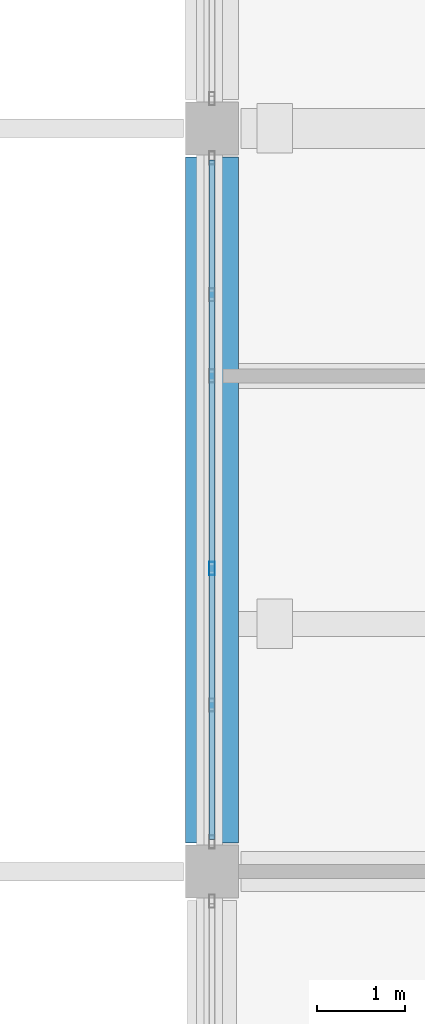
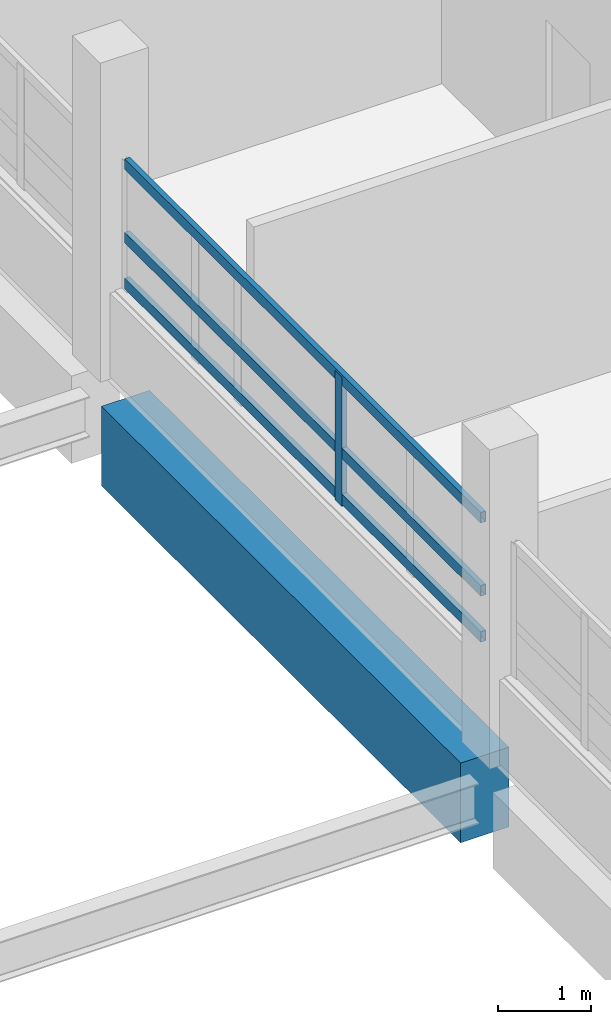
# One storey, part 39 of 130: 4 members, 1 beam, 1 element without a shape of its own.
"""IFC4 building model written with IfcOpenShell, lengths in metres."""

import ifcopenshell
import ifcopenshell.guid

model = None  # the IFC model being written
_history = None  # IfcOwnerHistory: only IFC2X3 demands one
_inside = {}  # id of a spatial element -> (the spatial element, [elements in it])
_under = {}  # id of a project, library or spatial element -> (it, [spatial elements below it])
_declared = {}  # id of a project -> (the project, [libraries it declares])
_typed = {}  # id of a type object -> (the type object, [elements of that type])
_made_of = {}  # id of a material, layer set ... -> (it, [elements and type objects made of it])


def new_model(schema):
    """Start an empty IFC model of exactly this schema.

    Asked for "IFC4X3", IfcOpenShell would pick the latest addendum, in which some entities
    have other attributes; the version numbers below select the first issue.
    IFC2X3 requires an IfcOwnerHistory on every rooted entity: one is made here for all.
    """
    global model, _history
    if schema == "IFC4X3":
        model = ifcopenshell.file(schema_version=(4, 3, 0, 0))
    else:
        model = ifcopenshell.file(schema=schema)
    _inside.clear()
    _under.clear()
    _declared.clear()
    _typed.clear()
    _made_of.clear()
    _history = None
    if model.schema == "IFC2X3":
        org = make("IfcOrganization", Name="unknown")
        user = make(
            "IfcPersonAndOrganization",
            ThePerson=make("IfcPerson", FamilyName="unknown"),
            TheOrganization=org,
        )
        app = make(
            "IfcApplication",
            ApplicationDeveloper=org,
            Version="unknown",
            ApplicationFullName="unknown",
            ApplicationIdentifier="unknown",
        )
        _history = make(
            "IfcOwnerHistory",
            OwningUser=user,
            OwningApplication=app,
            ChangeAction="ADDED",
            CreationDate=0,
        )
    return model


def make(cls, **values):
    """One entity of the class cls with the attributes given. An attribute that is None is left unset."""
    return model.create_entity(
        cls, **{name: value for name, value in values.items() if value is not None}
    )


def rooted(cls, **values):
    """An entity with a GlobalId (a new one), such as an element, a storey or a relation."""
    return make(cls, GlobalId=ifcopenshell.guid.new(), OwnerHistory=_history, **values)


def si_unit(unit_type, name, prefix=None):
    """IfcSIUnit, for example si_unit("LENGTHUNIT", "METRE", prefix="MILLI")."""
    return make("IfcSIUnit", UnitType=unit_type, Prefix=prefix, Name=name)


def assignment(units):
    """IfcUnitAssignment: the units of a project."""
    return None if units is None else make("IfcUnitAssignment", Units=units)


def point(xyz):
    """IfcCartesianPoint."""
    return None if xyz is None else make("IfcCartesianPoint", Coordinates=xyz)


def direction(xyz):
    """IfcDirection."""
    return None if xyz is None else make("IfcDirection", DirectionRatios=xyz)


def frame(location, z_axis=None, x_axis=None):
    """IfcAxis2Placement3D, a coordinate frame: its origin and axes. An axis left out is left unset."""
    return make(
        "IfcAxis2Placement3D",
        Location=point(location),
        Axis=direction(z_axis),
        RefDirection=direction(x_axis),
    )


def frame_2d(location, x_axis=None):
    """IfcAxis2Placement2D, a coordinate frame in the plane: its origin and x axis."""
    return make(
        "IfcAxis2Placement2D", Location=point(location), RefDirection=direction(x_axis)
    )


def origin():
    """The frame at (0, 0, 0) with its axes left unset."""
    return frame((0.0, 0.0, 0.0))


def origin_2d():
    """The frame at (0, 0) in the plane with its x axis left unset."""
    return frame_2d((0.0, 0.0))


def place(relative_to, where):
    """IfcLocalPlacement: puts the frame where relative to a parent placement (None: the world)."""
    return make(
        "IfcLocalPlacement", PlacementRelTo=relative_to, RelativePlacement=where
    )


def context(
    kind, dimensions, precision=None, world=None, true_north=None, identifier=None
):
    """IfcGeometricRepresentationContext, for example the 3D "Model" context."""
    return make(
        "IfcGeometricRepresentationContext",
        ContextIdentifier=identifier,
        ContextType=kind,
        CoordinateSpaceDimension=dimensions,
        Precision=precision,
        WorldCoordinateSystem=world,
        TrueNorth=true_north,
    )


def subcontext(parent, identifier, kind, view, scale=None):
    """IfcGeometricRepresentationSubContext, for example "Body" below "Model"."""
    return make(
        "IfcGeometricRepresentationSubContext",
        ContextIdentifier=identifier,
        ContextType=kind,
        ParentContext=parent,
        TargetScale=scale,
        TargetView=view,
    )


def project(units=None, contexts=None):
    """IfcProject with its units and contexts."""
    return rooted(
        "IfcProject",
        Name="project",
        RepresentationContexts=contexts,
        UnitsInContext=assignment(units),
    )


def spatial(cls, under=None, at=None, **own):
    """A site, building, storey or space (cls), placed at a placement, below another one or the project."""
    s = rooted(cls, ObjectPlacement=at, **own)
    if under is not None:
        _under.setdefault(under.id(), (under, []))[1].append(s)
    return s


def profile(cls, at=None, kind="AREA", **sizes):
    """A parametric profile (cls). Its sizes go by their IFC names, for example OverallWidth=200.0."""
    return make(cls, ProfileType=kind, Position=at, **sizes)


def rectangle(**sizes):
    """IfcRectangleProfileDef."""
    return profile("IfcRectangleProfileDef", **sizes)


def hollow_rectangle(**sizes):
    """IfcRectangleHollowProfileDef."""
    return profile("IfcRectangleHollowProfileDef", **sizes)


def extrude(swept, where, along, depth):
    """IfcExtrudedAreaSolid: the profile swept, set in the frame where, extruded along a direction by depth."""
    return make(
        "IfcExtrudedAreaSolid",
        SweptArea=swept,
        Position=where,
        ExtrudedDirection=direction(along),
        Depth=depth,
    )


def shape(context_of_items, identifier, shape_type, items):
    """IfcShapeRepresentation: the items that make up one representation, for example the "Body"."""
    return make(
        "IfcShapeRepresentation",
        ContextOfItems=context_of_items,
        RepresentationIdentifier=identifier,
        RepresentationType=shape_type,
        Items=items,
    )


def material(Name=None, Category=None):
    """IfcMaterial."""
    return make("IfcMaterial", Name=Name, Category=Category)


def layer(
    of_material, thickness, ventilated=None, Name=None, Category=None, Priority=None
):
    """IfcMaterialLayer: one layer of a wall or slab, of a material (None: an air gap)."""
    return make(
        "IfcMaterialLayer",
        Material=of_material,
        LayerThickness=thickness,
        IsVentilated=ventilated,
        Name=Name,
        Category=Category,
        Priority=Priority,
    )


def layer_set(layers, Name=None):
    """IfcMaterialLayerSet."""
    return make("IfcMaterialLayerSet", MaterialLayers=layers, LayerSetName=Name)


def material_profile(
    of_material, cross_section, Name=None, Category=None, Priority=None
):
    """IfcMaterialProfile: a cross section and its material."""
    return make(
        "IfcMaterialProfile",
        Name=Name,
        Material=of_material,
        Profile=cross_section,
        Priority=Priority,
        Category=Category,
    )


def profile_set(profiles, Name=None, composite=None):
    """IfcMaterialProfileSet."""
    return make(
        "IfcMaterialProfileSet",
        Name=Name,
        MaterialProfiles=profiles,
        CompositeProfile=composite,
    )


def made_of(thing, what):
    """Note that an element or type object is made of a material, layer set ...; save() writes the relation."""
    if what is not None:
        _made_of.setdefault(what.id(), (what, []))[1].append(thing)
    return thing


def type_object(cls, material=None, **own):
    """A type object (cls), such as IfcWallType, which elements share."""
    return made_of(rooted(cls, **own), material)


def element(
    cls,
    number,
    at=None,
    inside=None,
    cuts=None,
    type_object=None,
    material=None,
    context=None,
    identifier="Body",
    shape_type=None,
    held_by="IfcProductDefinitionShape",
    body=None,
    shapes=None,
    **own,
):
    """One element of the class cls, such as IfcWall. Its Tag is "e" and its number.

    at: its placement. inside: the storey or other place that contains it. cuts: it is an
    opening in that element (IfcRelVoidsElement). A single representation is given by context,
    identifier, shape_type and body (its items); several are given by shapes. held_by: the class
    of the entity that holds the representations. save() writes the other relations.
    """
    e = rooted(cls, Tag="e%d" % number, ObjectPlacement=at, **own)
    if body is not None:
        shapes = [shape(context, identifier, shape_type, body)]
    if shapes is not None:
        e.Representation = make(held_by, Representations=shapes)
    if inside is not None:
        _inside.setdefault(inside.id(), (inside, []))[1].append(e)
    if cuts is not None:
        rooted(
            "IfcRelVoidsElement", RelatingBuildingElement=cuts, RelatedOpeningElement=e
        )
    if type_object is not None:
        _typed.setdefault(type_object.id(), (type_object, []))[1].append(e)
    return made_of(e, material)


def aggregate(whole, parts):
    """IfcRelAggregates: a whole, such as a stair, and the parts it consists of."""
    return rooted("IfcRelAggregates", RelatingObject=whole, RelatedObjects=parts)


def save(model, path):
    """Write the relations noted so far, then the file.

    IfcRelAggregates (storeys below a building ...), IfcRelContainedInSpatialStructure (elements
    in a storey), IfcRelDefinesByType, IfcRelAssociatesMaterial and IfcRelDeclares: one each for
    every whole, place, type object, material and project.
    """
    for whole, parts in _under.values():
        aggregate(whole, parts)
    for where, things in _inside.values():
        rooted(
            "IfcRelContainedInSpatialStructure",
            RelatedElements=things,
            RelatingStructure=where,
        )
    for kind, things in _typed.values():
        rooted("IfcRelDefinesByType", RelatedObjects=things, RelatingType=kind)
    for what, things in _made_of.values():
        rooted("IfcRelAssociatesMaterial", RelatedObjects=things, RelatingMaterial=what)
    for by, libraries in _declared.values():
        rooted("IfcRelDeclares", RelatingContext=by, RelatedDefinitions=libraries)
    model.write(path)


model = new_model("IFC4")

# Units and contexts
model_context = context("Model", 3, precision=1e-05, world=origin(), true_north=direction((0.0, 1.0)))
body_context = subcontext(model_context, "Body", "Model", "MODEL_VIEW")
ifc_project = project(units=[si_unit("LENGTHUNIT", "METRE"), si_unit("AREAUNIT", "SQUARE_METRE"), si_unit("VOLUMEUNIT", "CUBIC_METRE"), si_unit("PLANEANGLEUNIT", "RADIAN"), si_unit("MASSUNIT", "GRAM", prefix="KILO")], contexts=[model_context])

# Site, building, storey
site_placement = place(None, origin())
site = spatial("IfcSite", under=ifc_project, at=site_placement, CompositionType="ELEMENT")
building_placement = place(site_placement, origin())
building = spatial("IfcBuilding", under=site, at=building_placement, Name="Vireocrest Preparatory School", CompositionType="ELEMENT")
storey_placement = place(building_placement, frame((0.0, 0.0, 9.0)))
storey = spatial("IfcBuildingStorey", under=building, at=storey_placement, Name="L02", CompositionType="ELEMENT", Elevation=9.0)

# Curtain wall, members
ifc_material_1 = material(Name="Thermally broken aluminium EN AW-6063-T6", Category="aluminium")
ifc_layer = layer(ifc_material_1, 0.179931640625)
ifc_layer_set = layer_set([ifc_layer], Name="Thermally broken aluminium EN AW-6063-T6")
curtain_wall_type = type_object("IfcCurtainWallType", Name="Court Banded Curtain Wall 8400x3000", PredefinedType="USERDEFINED", material=ifc_layer_set)
curtain_wall_placement = place(storey_placement, origin())
curtain_wall = element("IfcCurtainWall", 1, at=curtain_wall_placement, inside=storey, type_object=curtain_wall_type, Name="Curtain Wall CW02 CW_L02_CW02_0924_0525_102", ObjectType="CURTAIN WALL", PredefinedType="USERDEFINED")
ifc_material_profile_1 = material_profile(ifc_material_1, hollow_rectangle(XDim=0.06494140625, YDim=0.14990234375, WallThickness=0.00390625, at=origin_2d()), Name="ALU 65x150x4")
ifc_profile_set_1 = profile_set([ifc_material_profile_1], Name="Thermally broken aluminium EN AW-6063-T6")
member_type_1 = type_object("IfcMemberType", Name="CW Mullion 65x150x4", PredefinedType="MULLION", material=ifc_profile_set_1)
member_1_placement = place(storey_placement, frame((92.39990234375, 55.626953125, 1.14990234375), z_axis=(0.0, 0.0, 1.0), x_axis=(1.0, 0.0, 0.0)))
member_1 = element("IfcMember", 2, at=member_1_placement, type_object=member_type_1, Name="CW Mullion ML1 CW_L02_CW02_0924_0525_102-3", PredefinedType="MULLION", context=body_context, shape_type="SweptSolid", body=[
    extrude(hollow_rectangle(XDim=0.06494140625, YDim=0.14990234375, WallThickness=0.00390625, at=origin_2d()), origin(), (0.0, 0.0, 1.0), 1.705078125),
])
ifc_material_profile_2 = material_profile(ifc_material_1, hollow_rectangle(XDim=0.06494140625, YDim=0.139892578125, WallThickness=0.00390625, at=origin_2d()), Name="ALU 65x140x4")
ifc_profile_set_2 = profile_set([ifc_material_profile_2], Name="Thermally broken aluminium EN AW-6063-T6")
member_type_2 = type_object("IfcMemberType", Name="CW Transom 65x140x4", PredefinedType="USERDEFINED", material=ifc_profile_set_2)
member_2_placement = place(storey_placement, frame((92.39990234375, 52.56005859375, 1.2451171875), z_axis=(0.0, 1.0, 0.0), x_axis=(-1.0, 0.0, 0.0)))
member_2 = element("IfcMember", 3, at=member_2_placement, type_object=member_type_2, Name="CW Transom TR1 CW_L02_CW02_0924_0525_102-1", ObjectType="TRANSOM", PredefinedType="USERDEFINED", context=body_context, shape_type="SweptSolid", body=[
    extrude(hollow_rectangle(XDim=0.06494140625, YDim=0.139892578125, WallThickness=0.00390625, at=origin_2d()), origin(), (0.0, 0.0, 1.0), 7.679931640625),
])
member_3_placement = place(storey_placement, frame((92.39990234375, 52.56005859375, 1.85009765625), z_axis=(0.0, 1.0, 0.0), x_axis=(-1.0, 0.0, 0.0)))
member_3 = element("IfcMember", 4, at=member_3_placement, type_object=member_type_2, Name="CW Transom TR1 CW_L02_CW02_0924_0525_102-2", ObjectType="TRANSOM", PredefinedType="USERDEFINED", context=body_context, shape_type="SweptSolid", body=[
    extrude(hollow_rectangle(XDim=0.06494140625, YDim=0.139892578125, WallThickness=0.00390625, at=origin_2d()), origin(), (0.0, 0.0, 1.0), 7.679931640625),
])
member_4_placement = place(storey_placement, frame((92.39990234375, 52.56005859375, 2.81494140625), z_axis=(0.0, 1.0, 0.0), x_axis=(-1.0, 0.0, 0.0)))
member_4 = element("IfcMember", 5, at=member_4_placement, type_object=member_type_2, Name="CW Transom TR1 CW_L02_CW02_0924_0525_102-3", ObjectType="TRANSOM", PredefinedType="USERDEFINED", context=body_context, shape_type="SweptSolid", body=[
    extrude(hollow_rectangle(XDim=0.06494140625, YDim=0.139892578125, WallThickness=0.00390625, at=origin_2d()), origin(), (0.0, 0.0, 1.0), 7.679931640625),
])
aggregate(curtain_wall, [member_1, member_2, member_3, member_4])

# Beam
ifc_material_2 = material(Name="Concrete 40 MPa", Category="concrete")
ifc_material_profile_3 = material_profile(ifc_material_2, rectangle(XDim=0.60009765625, YDim=1.050048828125, at=origin_2d()), Name="RC 600x1050")
ifc_profile_set_3 = profile_set([ifc_material_profile_3], Name="Concrete 40 MPa")
beam_type = type_object("IfcBeamType", Name="RC Transfer Girder 600x1050", PredefinedType="BEAM", material=ifc_profile_set_3)
beam_placement = place(storey_placement, frame((92.39990234375, 52.52490234375, -0.824951171875), z_axis=(0.0, 1.0, 0.0), x_axis=(-1.0, 0.0, 0.0)))
element("IfcBeam", 6, at=beam_placement, inside=storey, type_object=beam_type, Name="Primary Girder B19 L02-0840", PredefinedType="BEAM", context=body_context, shape_type="SweptSolid", body=[
    extrude(rectangle(XDim=0.60009765625, YDim=1.050048828125, at=origin_2d()), origin(), (0.0, 0.0, 1.0), 7.75),
])

save(model, "model.ifc")
